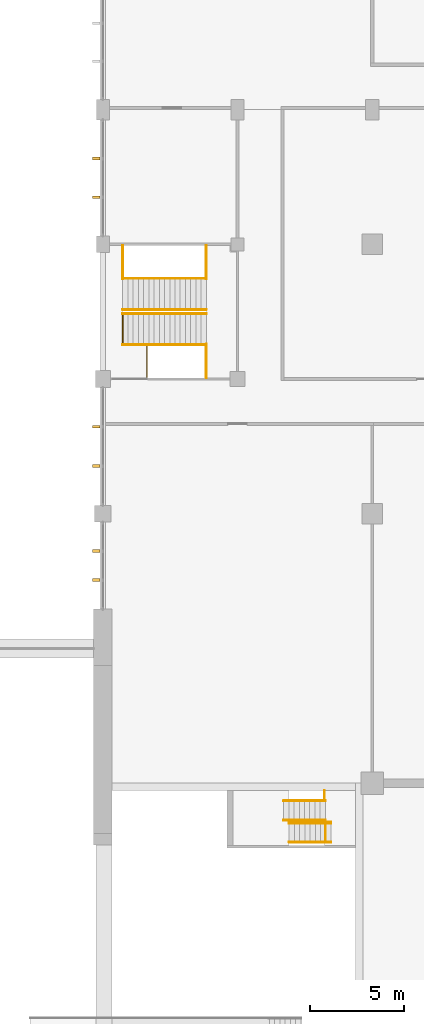
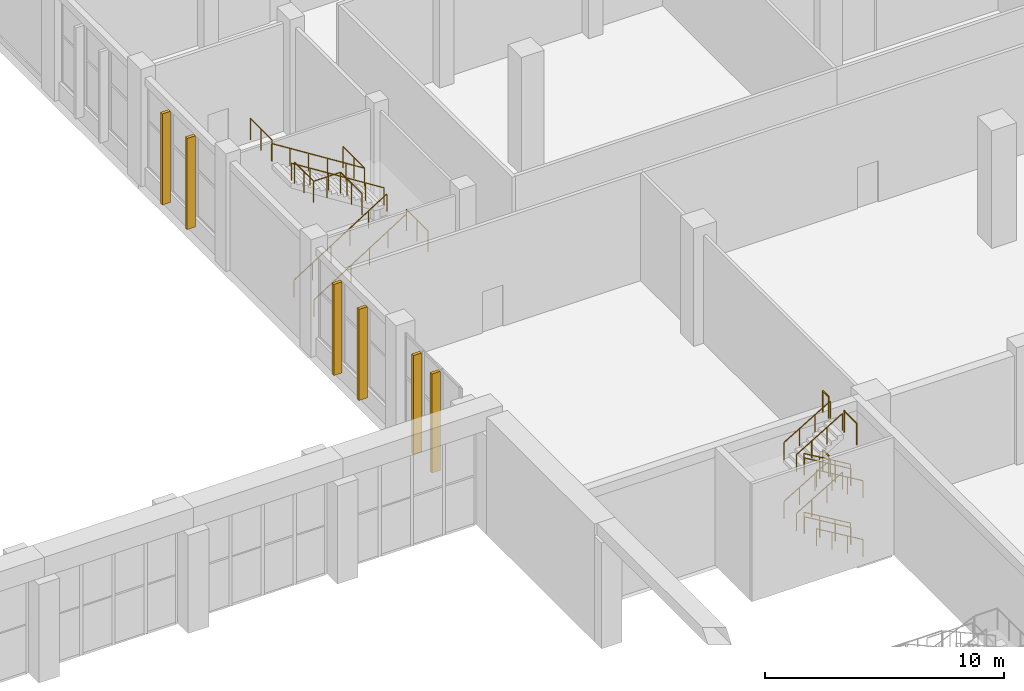
# One storey, part 42 of 44: 21 railings, 6 coverings.
"""IFC4 building model written with IfcOpenShell, lengths in metres."""

from ifc_helpers import new_model, si_unit, direction, frame, frame_2d, origin, origin_2d, place, context, subcontext, project, spatial, rectangle, circle, extrude, material, layer, layer_set, type_object, element, save


model = new_model("IFC4")

# Units and contexts
model_context = context("Model", 3, precision=1e-05, world=origin(), true_north=direction((0.0, 1.0)))
body_context = subcontext(model_context, "Body", "Model", "MODEL_VIEW")
ifc_project = project(units=[si_unit("LENGTHUNIT", "METRE"), si_unit("AREAUNIT", "SQUARE_METRE"), si_unit("VOLUMEUNIT", "CUBIC_METRE"), si_unit("PLANEANGLEUNIT", "RADIAN"), si_unit("MASSUNIT", "GRAM", prefix="KILO")], contexts=[model_context])

# Site, building, storey
site_placement = place(None, origin())
site = spatial("IfcSite", under=ifc_project, at=site_placement, CompositionType="ELEMENT")
building_placement = place(site_placement, origin())
building = spatial("IfcBuilding", under=site, at=building_placement, Name="Vermilion Court Aquatics Centre", CompositionType="ELEMENT")
storey_placement = place(building_placement, frame((0.0, 0.0, 6.0)))
storey = spatial("IfcBuildingStorey", under=building, at=storey_placement, Name="L01", CompositionType="ELEMENT", Elevation=6.0)

# Railings
ifc_material_1 = material(Name="Steel ASTM A992 Grade 50", Category="steel")
railing_type_1 = type_object("IfcRailingType", Name="Diving Tower stair guard 1100", PredefinedType="GUARDRAIL", material=ifc_material_1)
for number, where, name in (
    (1, (156.199951171875, 55.5048828125, 0.166748046875), "Stair 2 guard well L01"),
    (2, (156.199951171875, 55.5048828125, 3.166748046875), "Stair 2 guard well L01"),
):
    element("IfcRailing", number, at=place(storey_placement, frame(where)), inside=storey, type_object=railing_type_1, Name=name, PredefinedType="GUARDRAIL", context=body_context, shape_type="SweptSolid", body=[
        extrude(circle(Radius=0.02392578125, at=origin_2d()), frame((0.0, 0.0, 1.076171875), z_axis=(-0.859305625298, 0.0, 0.511462454469), x_axis=(0.0, -1.0, 0.0)), (0.0, 0.0, 1.0), 2.606689453125),
        extrude(circle(Radius=0.02099609375, at=origin_2d()), origin(), (0.0, 0.0, 1.0), 1.052001953125),
        extrude(circle(Radius=0.02099609375, at=origin_2d()), frame((-0.74658203125, 0.0, 0.4443359375)), (0.0, 0.0, 1.0), 1.052001953125),
        extrude(circle(Radius=0.02099609375, at=origin_2d()), frame((-1.493408203125, 0.0, 0.888916015625)), (0.0, 0.0, 1.0), 1.052001953125),
        extrude(circle(Radius=0.02099609375, at=origin_2d()), frame((-2.239990234375, 0.0, 1.333251953125)), (0.0, 0.0, 1.0), 1.052001953125),
    ])
railing_1_placement = place(storey_placement, frame((155.85009765625, 56.699951171875, 6.0)))
element("IfcRailing", 3, at=railing_1_placement, inside=storey, type_object=railing_type_1, Name="Stair 2 floor edge guard slot L01", PredefinedType="GUARDRAIL", context=body_context, shape_type="SweptSolid", body=[
    extrude(circle(Radius=0.02392578125, at=origin_2d()), frame((0.0, 0.0, 1.076171875), z_axis=(0.0, 1.0, 0.0), x_axis=(-1.0, 0.0, 0.0)), (0.0, 0.0, 1.0), 0.5),
    extrude(circle(Radius=0.02099609375, at=origin_2d()), origin(), (0.0, 0.0, 1.0), 1.052001953125),
    extrude(circle(Radius=0.02099609375, at=origin_2d()), frame((0.0, 0.5, 0.0)), (0.0, 0.0, 1.0), 1.052001953125),
])
railing_2_placement = place(storey_placement, frame((155.89990234375, 55.5, 6.0)))
element("IfcRailing", 4, at=railing_2_placement, inside=storey, type_object=railing_type_1, Name="Stair 2 floor edge guard L01", PredefinedType="GUARDRAIL", context=body_context, shape_type="SweptSolid", body=[
    extrude(circle(Radius=0.02392578125, at=origin_2d()), frame((0.0, 0.0, 1.076171875), z_axis=(0.0, -1.0, 0.0), x_axis=(1.0, 0.0, 0.0)), (0.0, 0.0, 1.0), 1.070068359375),
    extrude(circle(Radius=0.02099609375, at=origin_2d()), origin(), (0.0, 0.0, 1.0), 1.052001953125),
    extrude(circle(Radius=0.02099609375, at=origin_2d()), frame((0.0, -1.070068359375, 0.0)), (0.0, 0.0, 1.0), 1.052001953125),
])
railing_3_placement = place(storey_placement, frame((155.85009765625, 56.699951171875, 3.0)))
element("IfcRailing", 5, at=railing_3_placement, inside=storey, type_object=railing_type_1, Name="Stair 2 guard landing slot 1 L01", PredefinedType="GUARDRAIL", context=body_context, shape_type="SweptSolid", body=[
    extrude(circle(Radius=0.02392578125, at=origin_2d()), frame((0.0, 0.0, 1.076171875), z_axis=(0.0, 1.0, 0.0), x_axis=(-1.0, 0.0, 0.0)), (0.0, 0.0, 1.0), 0.5),
    extrude(circle(Radius=0.02099609375, at=origin_2d()), origin(), (0.0, 0.0, 1.0), 1.052001953125),
    extrude(circle(Radius=0.02099609375, at=origin_2d()), frame((0.0, 0.5, 0.0)), (0.0, 0.0, 1.0), 1.052001953125),
])
ifc_material_2 = material(Name="Steel ASTM A992 Grade 50", Category="steel")
railing_type_2 = type_object("IfcRailingType", Name="Diving Tower stair handrail 900", PredefinedType="HANDRAIL", material=ifc_material_2)
for number, where, name in (
    (6, (156.199951171875, 54.449951171875, 0.166748046875), "Stair 2 handrail wall L01"),
    (7, (156.199951171875, 55.455078125, 0.166748046875), "Stair 2 handrail well L01"),
):
    element("IfcRailing", number, at=place(storey_placement, frame(where)), inside=storey, type_object=railing_type_2, Name=name, PredefinedType="HANDRAIL", context=body_context, shape_type="SweptSolid", body=[
        extrude(circle(Radius=0.02392578125, at=origin_2d()), frame((0.0, 0.0, 0.8759765625), z_axis=(-0.859305625298, 0.0, 0.511462454469), x_axis=(0.0, -1.0, 0.0)), (0.0, 0.0, 1.0), 2.606689453125),
        extrude(circle(Radius=0.02099609375, at=origin_2d()), origin(), (0.0, 0.0, 1.0), 0.851806640625),
        extrude(circle(Radius=0.02099609375, at=origin_2d()), frame((-0.74658203125, 0.0, 0.4443359375)), (0.0, 0.0, 1.0), 0.851806640625),
        extrude(circle(Radius=0.02099609375, at=origin_2d()), frame((-1.493408203125, 0.0, 0.888916015625)), (0.0, 0.0, 1.0), 0.851806640625),
        extrude(circle(Radius=0.02099609375, at=origin_2d()), frame((-2.239990234375, 0.0, 1.333251953125)), (0.0, 0.0, 1.0), 0.851806640625),
    ])
for number, where, name in (
    (8, (153.659912109375, 56.64990234375, 1.666748046875), "Stair 2 handrail wall L01"),
    (9, (153.659912109375, 55.6201171875, 1.666748046875), "Stair 2 handrail well L01"),
):
    element("IfcRailing", number, at=place(storey_placement, frame(where)), inside=storey, type_object=railing_type_2, Name=name, PredefinedType="HANDRAIL", context=body_context, shape_type="SweptSolid", body=[
        extrude(circle(Radius=0.02392578125, at=origin_2d()), frame((0.0, 0.0, 0.8759765625), z_axis=(0.859305625298, 0.0, 0.511462454469), x_axis=(0.0, 1.0, 0.0)), (0.0, 0.0, 1.0), 2.606689453125),
        extrude(circle(Radius=0.02099609375, at=origin_2d()), origin(), (0.0, 0.0, 1.0), 0.851806640625),
        extrude(circle(Radius=0.02099609375, at=origin_2d()), frame((0.74658203125, 0.0, 0.4443359375)), (0.0, 0.0, 1.0), 0.851806640625),
        extrude(circle(Radius=0.02099609375, at=origin_2d()), frame((1.493408203125, 0.0, 0.888916015625)), (0.0, 0.0, 1.0), 0.851806640625),
        extrude(circle(Radius=0.02099609375, at=origin_2d()), frame((2.239990234375, 0.0, 1.333251953125)), (0.0, 0.0, 1.0), 0.851806640625),
    ])
for number, where, name in (
    (10, (156.199951171875, 54.449951171875, 3.166748046875), "Stair 2 handrail wall L01"),
    (11, (156.199951171875, 55.455078125, 3.166748046875), "Stair 2 handrail well L01"),
):
    element("IfcRailing", number, at=place(storey_placement, frame(where)), inside=storey, type_object=railing_type_2, Name=name, PredefinedType="HANDRAIL", context=body_context, shape_type="SweptSolid", body=[
        extrude(circle(Radius=0.02392578125, at=origin_2d()), frame((0.0, 0.0, 0.8759765625), z_axis=(-0.859305625298, 0.0, 0.511462454469), x_axis=(0.0, -1.0, 0.0)), (0.0, 0.0, 1.0), 2.606689453125),
        extrude(circle(Radius=0.02099609375, at=origin_2d()), origin(), (0.0, 0.0, 1.0), 0.851806640625),
        extrude(circle(Radius=0.02099609375, at=origin_2d()), frame((-0.74658203125, 0.0, 0.4443359375)), (0.0, 0.0, 1.0), 0.851806640625),
        extrude(circle(Radius=0.02099609375, at=origin_2d()), frame((-1.493408203125, 0.0, 0.888916015625)), (0.0, 0.0, 1.0), 0.851806640625),
        extrude(circle(Radius=0.02099609375, at=origin_2d()), frame((-2.239990234375, 0.0, 1.333251953125)), (0.0, 0.0, 1.0), 0.851806640625),
    ])
for number, where, name in (
    (12, (153.659912109375, 56.64990234375, 4.666748046875), "Stair 2 handrail wall L01"),
    (13, (153.659912109375, 55.6201171875, 4.666748046875), "Stair 2 handrail well L01"),
):
    element("IfcRailing", number, at=place(storey_placement, frame(where)), inside=storey, type_object=railing_type_2, Name=name, PredefinedType="HANDRAIL", context=body_context, shape_type="SweptSolid", body=[
        extrude(circle(Radius=0.02392578125, at=origin_2d()), frame((0.0, 0.0, 0.8759765625), z_axis=(0.859305625298, 0.0, 0.511462454469), x_axis=(0.0, 1.0, 0.0)), (0.0, 0.0, 1.0), 2.606689453125),
        extrude(circle(Radius=0.02099609375, at=origin_2d()), origin(), (0.0, 0.0, 1.0), 0.851806640625),
        extrude(circle(Radius=0.02099609375, at=origin_2d()), frame((0.74658203125, 0.0, 0.4443359375)), (0.0, 0.0, 1.0), 0.851806640625),
        extrude(circle(Radius=0.02099609375, at=origin_2d()), frame((1.493408203125, 0.0, 0.888916015625)), (0.0, 0.0, 1.0), 0.851806640625),
        extrude(circle(Radius=0.02099609375, at=origin_2d()), frame((2.239990234375, 0.0, 1.333251953125)), (0.0, 0.0, 1.0), 0.851806640625),
    ])
ifc_material_3 = material(Name="Steel ASTM A992 Grade 50", Category="steel")
railing_type_3 = type_object("IfcRailingType", Name="Podium stair guard 1100", PredefinedType="GUARDRAIL", material=ifc_material_3)
railing_4_placement = place(storey_placement, frame((149.534423828125, 79.262451171875, 3.0)))
element("IfcRailing", 14, at=railing_4_placement, inside=storey, type_object=railing_type_3, Name="Stair guard P3", PredefinedType="GUARDRAIL", context=body_context, shape_type="SweptSolid", body=[
    extrude(circle(Radius=0.02392578125, at=origin_2d()), frame((0.0, 0.0, 1.076171875), z_axis=(0.0, 1.0, 0.0), x_axis=(-1.0, 0.0, 0.0)), (0.0, 0.0, 1.0), 1.797607421875),
    extrude(circle(Radius=0.02099609375, at=origin_2d()), origin(), (0.0, 0.0, 1.0), 1.052001953125),
    extrude(circle(Radius=0.02099609375, at=origin_2d()), frame((0.0, 0.89892578125, 0.0)), (0.0, 0.0, 1.0), 1.052001953125),
    extrude(circle(Radius=0.02099609375, at=origin_2d()), frame((0.0, 1.797607421875, 0.0)), (0.0, 0.0, 1.0), 1.052001953125),
])
railing_5_placement = place(storey_placement, frame((146.362548828125, 79.262451171875, 6.0)))
element("IfcRailing", 15, at=railing_5_placement, inside=storey, type_object=railing_type_3, Name="Stair guard P3", PredefinedType="GUARDRAIL", context=body_context, shape_type="SweptSolid", body=[
    extrude(circle(Radius=0.02392578125, at=origin_2d()), frame((0.0, 0.0, 1.076171875), z_axis=(0.0, 1.0, 0.0), x_axis=(-1.0, 0.0, 0.0)), (0.0, 0.0, 1.0), 1.797607421875),
    extrude(circle(Radius=0.02392578125, at=origin_2d()), frame((0.0, 1.797607421875, 1.076171875), z_axis=(-1.0, 0.0, 0.0), x_axis=(0.0, -1.0, 0.0)), (0.0, 0.0, 1.0), 1.300048828125),
    extrude(circle(Radius=0.02392578125, at=origin_2d()), frame((-1.300048828125, 1.797607421875, 1.076171875), z_axis=(0.0, 1.0, 0.0), x_axis=(-1.0, 0.0, 0.0)), (0.0, 0.0, 1.0), 1.599853515625),
    extrude(circle(Radius=0.02099609375, at=origin_2d()), origin(), (0.0, 0.0, 1.0), 1.052001953125),
    extrude(circle(Radius=0.02099609375, at=origin_2d()), frame((0.0, 0.89892578125, 0.0)), (0.0, 0.0, 1.0), 1.052001953125),
    extrude(circle(Radius=0.02099609375, at=origin_2d()), frame((0.0, 1.797607421875, 0.0)), (0.0, 0.0, 1.0), 1.052001953125),
    extrude(circle(Radius=0.02099609375, at=origin_2d()), frame((-0.64990234375, 1.797607421875, 0.0)), (0.0, 0.0, 1.0), 1.052001953125),
    extrude(circle(Radius=0.02099609375, at=origin_2d()), frame((-1.300048828125, 1.797607421875, 0.0)), (0.0, 0.0, 1.0), 1.052001953125),
    extrude(circle(Radius=0.02099609375, at=origin_2d()), frame((-1.300048828125, 2.59765625, 0.0)), (0.0, 0.0, 1.0), 1.052001953125),
    extrude(circle(Radius=0.02099609375, at=origin_2d()), frame((-1.300048828125, 3.3974609375, 0.0)), (0.0, 0.0, 1.0), 1.052001953125),
])
for number, where, name in (
    (16, (149.534423828125, 86.33740234375, 3.0), "Stair guard P3"),
    (17, (145.0625, 86.33740234375, 6.0), "Stair guard P3"),
):
    element("IfcRailing", number, at=place(storey_placement, frame(where)), inside=storey, type_object=railing_type_3, Name=name, PredefinedType="GUARDRAIL", context=body_context, shape_type="SweptSolid", body=[
        extrude(circle(Radius=0.02392578125, at=origin_2d()), frame((0.0, 0.0, 1.076171875), z_axis=(0.0, -1.0, 0.0), x_axis=(1.0, 0.0, 0.0)), (0.0, 0.0, 1.0), 1.79736328125),
        extrude(circle(Radius=0.02099609375, at=origin_2d()), origin(), (0.0, 0.0, 1.0), 1.052001953125),
        extrude(circle(Radius=0.02099609375, at=origin_2d()), frame((0.0, -0.898681640625, 0.0)), (0.0, 0.0, 1.0), 1.052001953125),
        extrude(circle(Radius=0.02099609375, at=origin_2d()), frame((0.0, -1.79736328125, 0.0)), (0.0, 0.0, 1.0), 1.052001953125),
    ])
ifc_material_4 = material(Name="Steel ASTM A992 Grade 50", Category="steel")
railing_type_4 = type_object("IfcRailingType", Name="Podium stair handrail 900", PredefinedType="HANDRAIL", material=ifc_material_4)
for number, where, name in (
    (18, (145.0625, 81.030029296875, 0.176513671875), "Stair handrail P3"),
    (19, (145.0625, 82.68994140625, 0.176513671875), "Stair handrail P3"),
):
    element("IfcRailing", number, at=place(storey_placement, frame(where)), inside=storey, type_object=railing_type_4, Name=name, PredefinedType="HANDRAIL", context=body_context, shape_type="SweptSolid", body=[
        extrude(circle(Radius=0.02392578125, at=origin_2d()), frame((0.0, 0.0, 0.8759765625), z_axis=(0.845564583299, 0.0, 0.533873145485), x_axis=(0.0, 1.0, 0.0)), (0.0, 0.0, 1.0), 5.28857421875),
        extrude(circle(Radius=0.02099609375, at=origin_2d()), origin(), (0.0, 0.0, 1.0), 0.851806640625),
        extrude(circle(Radius=0.02099609375, at=origin_2d()), frame((0.894287109375, 0.0, 0.564697265625)), (0.0, 0.0, 1.0), 0.851806640625),
        extrude(circle(Radius=0.02099609375, at=origin_2d()), frame((1.788818359375, 0.0, 1.12939453125)), (0.0, 0.0, 1.0), 0.851806640625),
        extrude(circle(Radius=0.02099609375, at=origin_2d()), frame((2.68310546875, 0.0, 1.694091796875)), (0.0, 0.0, 1.0), 0.851806640625),
        extrude(circle(Radius=0.02099609375, at=origin_2d()), frame((3.57763671875, 0.0, 2.2587890625)), (0.0, 0.0, 1.0), 0.851806640625),
        extrude(circle(Radius=0.02099609375, at=origin_2d()), frame((4.471923828125, 0.0, 2.823486328125)), (0.0, 0.0, 1.0), 0.851806640625),
    ])
for number, where, name in (
    (20, (149.534423828125, 82.909912109375, 3.176513671875), "Stair handrail P3"),
    (21, (149.534423828125, 84.570068359375, 3.176513671875), "Stair handrail P3"),
):
    element("IfcRailing", number, at=place(storey_placement, frame(where)), inside=storey, type_object=railing_type_4, Name=name, PredefinedType="HANDRAIL", context=body_context, shape_type="SweptSolid", body=[
        extrude(circle(Radius=0.02392578125, at=origin_2d()), frame((0.0, 0.0, 0.8759765625), z_axis=(-0.845564583299, 0.0, 0.533873145485), x_axis=(0.0, -1.0, 0.0)), (0.0, 0.0, 1.0), 5.28857421875),
        extrude(circle(Radius=0.02099609375, at=origin_2d()), origin(), (0.0, 0.0, 1.0), 0.851806640625),
        extrude(circle(Radius=0.02099609375, at=origin_2d()), frame((-0.894287109375, 0.0, 0.564697265625)), (0.0, 0.0, 1.0), 0.851806640625),
        extrude(circle(Radius=0.02099609375, at=origin_2d()), frame((-1.788818359375, 0.0, 1.12939453125)), (0.0, 0.0, 1.0), 0.851806640625),
        extrude(circle(Radius=0.02099609375, at=origin_2d()), frame((-2.68310546875, 0.0, 1.694091796875)), (0.0, 0.0, 1.0), 0.851806640625),
        extrude(circle(Radius=0.02099609375, at=origin_2d()), frame((-3.57763671875, 0.0, 2.2587890625)), (0.0, 0.0, 1.0), 0.851806640625),
        extrude(circle(Radius=0.02099609375, at=origin_2d()), frame((-4.471923828125, 0.0, 2.823486328125)), (0.0, 0.0, 1.0), 0.851806640625),
    ])

# Coverings
ifc_material_5 = material(Name="Terracotta cladding", Category="masonry")
ifc_layer = layer(ifc_material_5, 0.14990234375)
ifc_layer_set = layer_set([ifc_layer], Name="Podium terracotta sunscreen fin 150")
covering_type = type_object("IfcCoveringType", Name="Podium terracotta sunscreen fin 150", PredefinedType="CLADDING", material=ifc_layer_set)
for number, where, z_axis, x_axis, name in (
    (22, (143.85009765625, 68.449951171875, 0.449951171875), (0.0, 0.0, 1.0), (-1.0, 0.0, 0.0), "Sunscreen fin L01"),
    (23, (143.85009765625, 70.0, 0.449951171875), (0.0, 0.0, 1.0), (-1.0, 0.0, 0.0), "Sunscreen fin L01"),
):
    element("IfcCovering", number, at=place(storey_placement, frame(where, z_axis=z_axis, x_axis=x_axis)), inside=storey, type_object=covering_type, Name=name, PredefinedType="CLADDING", context=body_context, shape_type="SweptSolid", body=[
        extrude(rectangle(XDim=0.400146484375, YDim=0.14990234375, at=frame_2d((0.2001953125, 0.0))), origin(), (0.0, 0.0, 1.0), 5.050048828125),
    ])
for number, where, z_axis, x_axis, name in (
    (24, (143.85009765625, 74.550048828125, 0.449951171875), (0.0, 0.0, 1.0), (-1.0, 0.0, 0.0), "Sunscreen fin L01"),
    (25, (143.85009765625, 76.64990234375, 0.449951171875), (0.0, 0.0, 1.0), (-1.0, 0.0, 0.0), "Sunscreen fin L01"),
    (26, (143.85009765625, 88.916748046875, 0.449951171875), (0.0, 0.0, 1.0), (-1.0, 0.0, 0.0), "Sunscreen fin L01"),
    (27, (143.85009765625, 90.9833984375, 0.449951171875), (0.0, 0.0, 1.0), (-1.0, 0.0, 0.0), "Sunscreen fin L01"),
):
    element("IfcCovering", number, at=place(storey_placement, frame(where, z_axis=z_axis, x_axis=x_axis)), inside=storey, type_object=covering_type, Name=name, PredefinedType="CLADDING", context=body_context, shape_type="SweptSolid", body=[
        extrude(rectangle(XDim=0.400146484375, YDim=0.14990234375, at=frame_2d((0.2001953125, 0.0))), origin(), (0.0, 0.0, 1.0), 4.650146484375),
    ])

save(model, "model.ifc")
